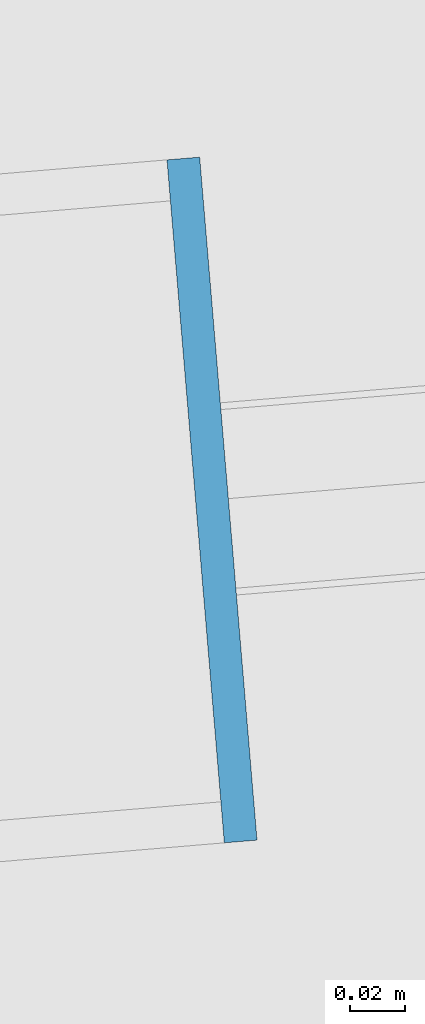
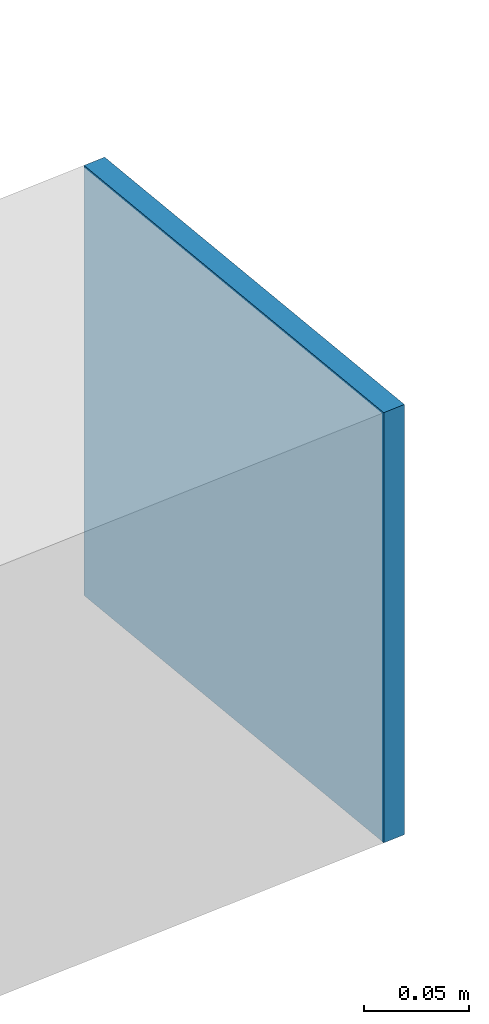
# One storey, part 38 of 46: 1 plate.
"""IFC4 building model written with IfcOpenShell, lengths in metres."""

from ifc_helpers import new_model, si_unit, direction, frame, origin, origin_2d, place, context, subcontext, project, spatial, rectangle, extrude, source, transform, mapped, material, layer, layer_set, type_object, element, save


model = new_model("IFC4")

# Units and contexts
model_context = context("Model", 3, precision=1e-05, world=origin(), true_north=direction((0.0, 1.0)))
body_context = subcontext(model_context, "Body", "Model", "MODEL_VIEW")
ifc_project = project(units=[si_unit("LENGTHUNIT", "METRE"), si_unit("AREAUNIT", "SQUARE_METRE"), si_unit("VOLUMEUNIT", "CUBIC_METRE"), si_unit("PLANEANGLEUNIT", "RADIAN"), si_unit("MASSUNIT", "GRAM", prefix="KILO")], contexts=[model_context])

# Site, building, storey
site_placement = place(None, origin())
site = spatial("IfcSite", under=ifc_project, at=site_placement, CompositionType="ELEMENT")
building_placement = place(site_placement, origin())
building = spatial("IfcBuilding", under=site, at=building_placement, Name="Taldren Reach Tower", CompositionType="ELEMENT")
storey_placement = place(building_placement, frame((0.0, 0.0, 185.14990234375)))
storey = spatial("IfcBuildingStorey", under=building, at=storey_placement, Name="L56", CompositionType="ELEMENT", Elevation=185.14990234375)

# Plate
ifc_material = material(Name="Steel Gr 350 (C350L0)", Category="steel")
ifc_layer = layer(ifc_material, 0.011962890625)
ifc_layer_set = layer_set([ifc_layer], Name="Steel Gr 350 (C350L0)")
plate_type = type_object("IfcPlateType", Name="PL-CAP-250", PredefinedType="SHEET", material=ifc_layer_set)
shared_shape = source(origin(), body_context, "Body", "SweptSolid", [
    extrude(rectangle(XDim=0.011962890625, YDim=0.25, at=origin_2d()), origin(), (0.0, 0.0, 1.0), 0.25),
])
plate_placement = place(storey_placement, frame((62.167724609375, 21.60498046875, 0.09521484375), z_axis=(0.0, 0.0, 1.0), x_axis=(0.99649285925, 0.083677843332, 0.0)))
element("IfcPlate", 1, at=plate_placement, inside=storey, type_object=plate_type, Name="Tie strut end cap plate B4-E2 L56", PredefinedType="SHEET", context=body_context, shape_type="MappedRepresentation", body=[
    mapped(shared_shape, transform((0.0, 0.0, 0.0), scale=1.0)),
])

save(model, "model.ifc")
